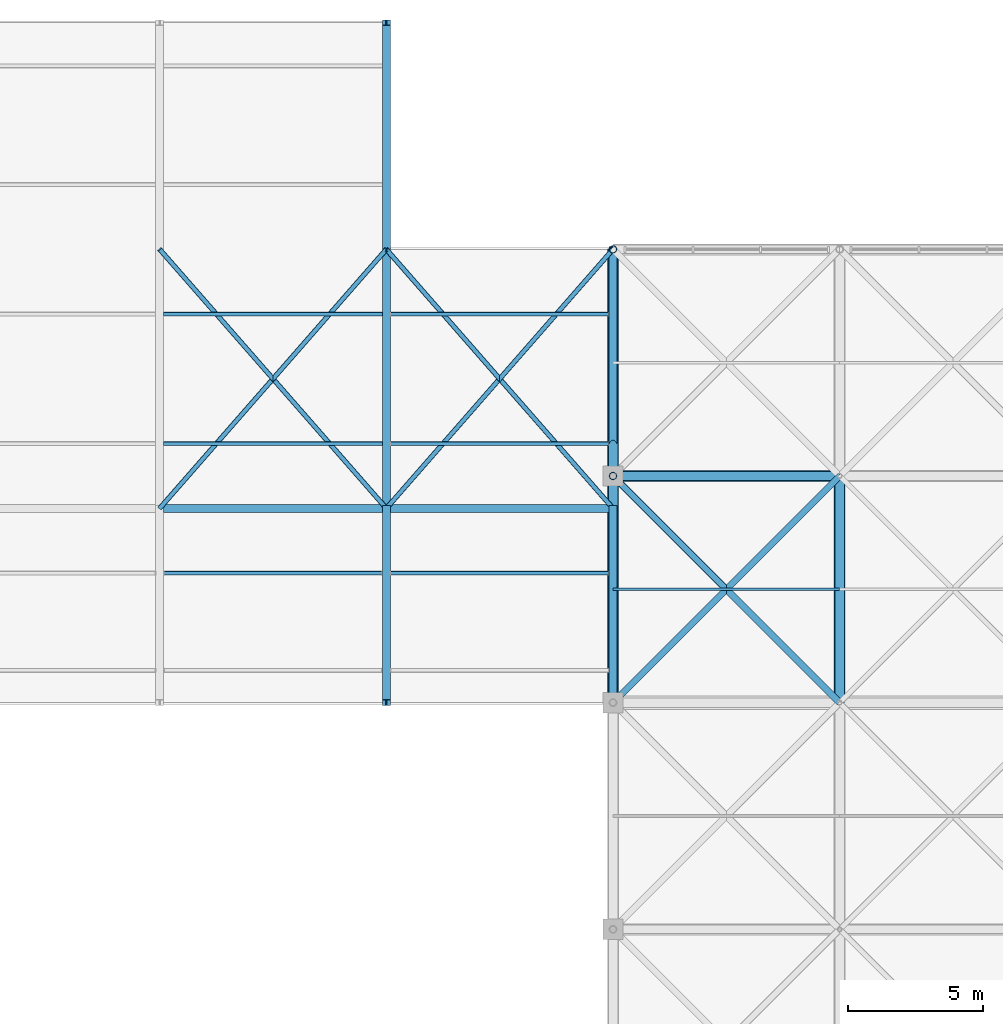
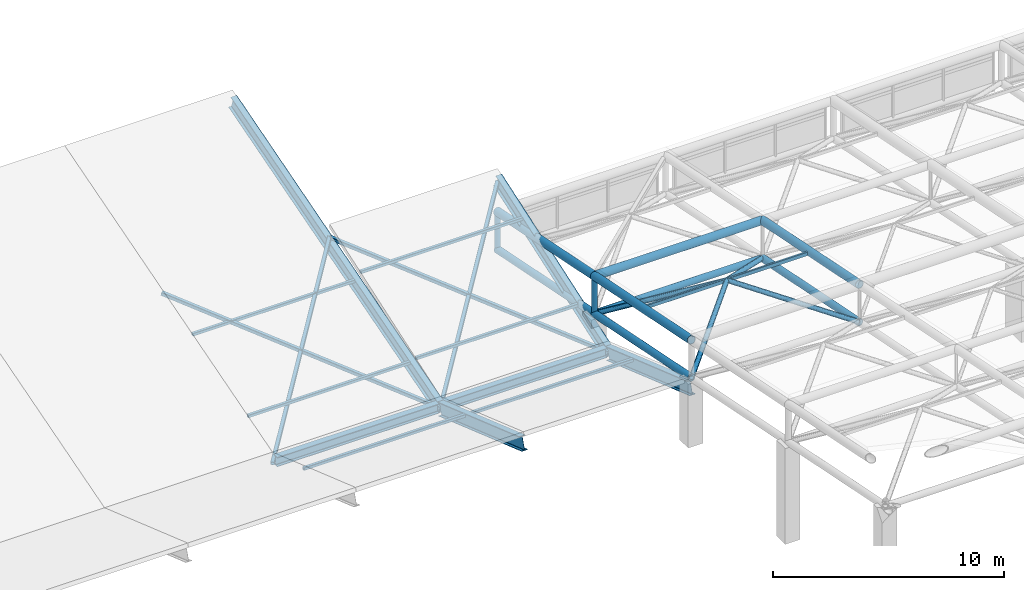
# One storey, part 50 of 110: 25 members, 6 beams.
"""IFC4 building model written with IfcOpenShell, lengths in metres."""

from ifc_helpers import new_model, si_unit, direction, frame, origin, origin_2d, place, context, subcontext, project, spatial, hollow_rectangle, hollow_circle, i_section, extrude, material, material_profile, profile_set, type_object, element, save


model = new_model("IFC4")

# Units and contexts
model_context = context("Model", 3, precision=1e-05, world=origin(), true_north=direction((0.0, 1.0)))
body_context = subcontext(model_context, "Body", "Model", "MODEL_VIEW")
ifc_project = project(units=[si_unit("LENGTHUNIT", "METRE"), si_unit("AREAUNIT", "SQUARE_METRE"), si_unit("VOLUMEUNIT", "CUBIC_METRE"), si_unit("PLANEANGLEUNIT", "RADIAN"), si_unit("MASSUNIT", "GRAM", prefix="KILO")], contexts=[model_context])

# Site, building, storey
site_placement = place(None, origin())
site = spatial("IfcSite", under=ifc_project, at=site_placement, CompositionType="ELEMENT")
building_placement = place(site_placement, origin())
building = spatial("IfcBuilding", under=site, at=building_placement, Name="Qawsi Khor Wholesale Market", CompositionType="ELEMENT")
storey_placement = place(building_placement, frame((0.0, 0.0, 11.39990234375)))
storey = spatial("IfcBuildingStorey", under=building, at=storey_placement, Name="L02", CompositionType="ELEMENT", Elevation=11.39990234375)

# Members
ifc_material = material(Name="Steel S355", Category="steel")
ifc_material_profile_1 = material_profile(ifc_material, hollow_rectangle(XDim=0.179931640625, YDim=0.179931640625, WallThickness=0.010009765625, InnerFilletRadius=0.010009765625, OuterFilletRadius=0.02001953125, at=origin_2d()), Name="SHS 180x180x10.0")
ifc_profile_set_1 = profile_set([ifc_material_profile_1], Name="Steel S355")
member_type_1 = type_object("IfcMemberType", Name="Auction Roof Brace SHS 180x180x10.0", PredefinedType="BRACE", material=ifc_profile_set_1)
for number, where, z_axis, x_axis, name in (
    (1, (126.0, 99.60009765625, 0.35009765625), (0.638715391749, 0.729957795703, 0.243319265234), (-0.752575509087, 0.658505962861, 0.0), "Auction roof brace 3A"),
    (2, (134.39990234375, 99.60009765625, 0.35009765625), (-0.638715391749, 0.729957795703, 0.243319265234), (-0.752575509087, -0.658505962861, 0.0), "Auction roof brace 3B"),
):
    element("IfcMember", number, at=place(storey_placement, frame(where, z_axis=z_axis, x_axis=x_axis)), inside=storey, type_object=member_type_1, Name=name, PredefinedType="BRACE", context=body_context, shape_type="SweptSolid", body=[
        extrude(hollow_rectangle(XDim=0.179931640625, YDim=0.179931640625, WallThickness=0.010009765625, InnerFilletRadius=0.010009765625, OuterFilletRadius=0.02001953125, at=origin_2d()), origin(), (0.0, 0.0, 1.0), 13.151123046875),
    ])
for number, where, z_axis, x_axis, name in (
    (3, (134.39990234375, 99.60009765625, 0.35009765625), (0.638726382275, 0.729949140507, 0.243316380169), (-0.752566024172, 0.658516802566, 0.0), "Auction roof brace 4A"),
    (4, (142.800048828125, 99.60009765625, 0.35009765625), (-0.638726382275, 0.729949140507, 0.243316380169), (-0.752566024172, -0.658516802566, 0.0), "Auction roof brace 4B"),
):
    element("IfcMember", number, at=place(storey_placement, frame(where, z_axis=z_axis, x_axis=x_axis)), inside=storey, type_object=member_type_1, Name=name, PredefinedType="BRACE", context=body_context, shape_type="SweptSolid", body=[
        extrude(hollow_rectangle(XDim=0.179931640625, YDim=0.179931640625, WallThickness=0.010009765625, InnerFilletRadius=0.010009765625, OuterFilletRadius=0.02001953125, at=origin_2d()), origin(), (0.0, 0.0, 1.0), 13.1513671875),
    ])
ifc_material_profile_2 = material_profile(ifc_material, hollow_rectangle(XDim=0.14990234375, YDim=0.14990234375, WallThickness=0.008056640625, InnerFilletRadius=0.008056640625, OuterFilletRadius=0.01611328125, at=origin_2d()), Name="SHS 150x150x8.0")
ifc_profile_set_2 = profile_set([ifc_material_profile_2], Name="Steel S355")
member_type_2 = type_object("IfcMemberType", Name="Auction Shed Purlin SHS 150x150x8.0", PredefinedType="PURLIN", material=ifc_profile_set_2)
member_1_placement = place(storey_placement, frame((126.162109375, 97.199951171875, 1.4833984375), z_axis=(1.0, 0.0, 0.0), x_axis=(0.0, 1.0, 0.0)))
element("IfcMember", 5, at=member_1_placement, inside=storey, type_object=member_type_2, Name="Auction Roof Purlin 16-2", PredefinedType="PURLIN", context=body_context, shape_type="SweptSolid", body=[
    extrude(hollow_rectangle(XDim=0.14990234375, YDim=0.14990234375, WallThickness=0.008056640625, InnerFilletRadius=0.008056640625, OuterFilletRadius=0.01611328125, at=origin_2d()), origin(), (0.0, 0.0, 1.0), 8.075927734375),
])
for number, where, z_axis, x_axis, name in (
    (6, (126.14990234375, 102.0, 1.356689453125), (1.0, 0.0, 0.0), (0.0, 1.0, 0.0), "Auction Roof Purlin 16-3"),
    (7, (126.14990234375, 106.800048828125, 2.77001953125), (1.0, 0.0, 0.0), (0.0, 1.0, 0.0), "Auction Roof Purlin 16-4"),
):
    element("IfcMember", number, at=place(storey_placement, frame(where, z_axis=z_axis, x_axis=x_axis)), inside=storey, type_object=member_type_2, Name=name, PredefinedType="PURLIN", context=body_context, shape_type="SweptSolid", body=[
        extrude(hollow_rectangle(XDim=0.14990234375, YDim=0.14990234375, WallThickness=0.008056640625, InnerFilletRadius=0.008056640625, OuterFilletRadius=0.01611328125, at=origin_2d()), origin(), (0.0, 0.0, 1.0), 8.10009765625),
    ])
for number, where, z_axis, x_axis, name in (
    (8, (134.56201171875, 97.199951171875, 1.4833984375), (1.0, 0.0, 0.0), (0.0, 1.0, 0.0), "Auction Roof Purlin 17-2"),
    (9, (134.56201171875, 102.0, 1.47509765625), (1.0, 0.0, 0.0), (0.0, 1.0, 0.0), "Auction Roof Purlin 17-3"),
    (10, (134.56201171875, 106.800048828125, 3.125), (1.0, 0.0, 0.0), (0.0, 1.0, 0.0), "Auction Roof Purlin 17-4"),
):
    element("IfcMember", number, at=place(storey_placement, frame(where, z_axis=z_axis, x_axis=x_axis)), inside=storey, type_object=member_type_2, Name=name, PredefinedType="PURLIN", context=body_context, shape_type="SweptSolid", body=[
        extrude(hollow_rectangle(XDim=0.14990234375, YDim=0.14990234375, WallThickness=0.008056640625, InnerFilletRadius=0.008056640625, OuterFilletRadius=0.01611328125, at=origin_2d()), origin(), (0.0, 0.0, 1.0), 8.075927734375),
    ])

# Beams
ifc_material_profile_3 = material_profile(ifc_material, i_section(OverallWidth=0.300048828125, OverallDepth=0.5, WebThickness=0.014404296875, FlangeThickness=0.028076171875, FilletRadius=0.027099609375, at=origin_2d()), Name="HEB 500")
ifc_profile_set_3 = profile_set([ifc_material_profile_3], Name="Steel S355")
beam_type_1 = type_object("IfcBeamType", Name="Heavy Edge Girder HEB 500", PredefinedType="BEAM", material=ifc_profile_set_3)
beam_1_placement = place(storey_placement, frame((126.14990234375, 99.60009765625, 0.4501953125), z_axis=(1.0, 0.0, 0.0), x_axis=(0.0, 1.0, 0.0)))
element("IfcBeam", 11, at=beam_1_placement, inside=storey, type_object=beam_type_1, Name="Auction Butterfly Valley Girder 16", PredefinedType="BEAM", context=body_context, shape_type="SweptSolid", body=[
    extrude(i_section(OverallWidth=0.300048828125, OverallDepth=0.5, WebThickness=0.014404296875, FlangeThickness=0.028076171875, FilletRadius=0.027099609375, at=origin_2d()), origin(), (0.0, 0.0, 1.0), 8.10009765625),
])
beam_2_placement = place(storey_placement, frame((134.550048828125, 99.60009765625, 0.4501953125), z_axis=(1.0, 0.0, 0.0), x_axis=(0.0, 1.0, 0.0)))
element("IfcBeam", 12, at=beam_2_placement, inside=storey, type_object=beam_type_1, Name="Auction Butterfly Valley Girder 17", PredefinedType="BEAM", context=body_context, shape_type="SweptSolid", body=[
    extrude(i_section(OverallWidth=0.300048828125, OverallDepth=0.5, WebThickness=0.014404296875, FlangeThickness=0.028076171875, FilletRadius=0.027099609375, at=origin_2d()), origin(), (0.0, 0.0, 1.0), 8.099853515625),
])
ifc_material_profile_4 = material_profile(ifc_material, i_section(OverallWidth=0.300048828125, OverallDepth=0.68994140625, WebThickness=0.014404296875, FlangeThickness=0.027099609375, FilletRadius=0.027099609375, at=origin_2d()), Name="HEA 700")
ifc_profile_set_4 = profile_set([ifc_material_profile_4], Name="Steel S355")
beam_type_2 = type_object("IfcBeamType", Name="Primary Girder HEA 700", PredefinedType="BEAM", material=ifc_profile_set_4)
beam_3_placement = place(storey_placement, frame((134.39990234375, 92.39990234375, 2.85009765625), z_axis=(0.0, 0.944676421269, -0.328003748603), x_axis=(-1.0, 0.0, 0.0)))
element("IfcBeam", 13, at=beam_3_placement, inside=storey, type_object=beam_type_2, Name="Auction Butterfly Rafter South Grid 17", PredefinedType="BEAM", context=body_context, shape_type="SweptSolid", body=[
    extrude(i_section(OverallWidth=0.300048828125, OverallDepth=0.68994140625, WebThickness=0.014404296875, FlangeThickness=0.027099609375, FilletRadius=0.027099609375, at=origin_2d()), origin(), (0.0, 0.0, 1.0), 7.621826171875),
])
beam_4_placement = place(storey_placement, frame((134.39990234375, 99.60009765625, 0.35009765625), z_axis=(0.0, 0.959279891053, 0.282457236801), x_axis=(-1.0, 0.0, 0.0)))
element("IfcBeam", 14, at=beam_4_placement, inside=storey, type_object=beam_type_2, Name="Auction Butterfly Rafter North Grid 17", PredefinedType="BEAM", context=body_context, shape_type="SweptSolid", body=[
    extrude(i_section(OverallWidth=0.300048828125, OverallDepth=0.68994140625, WebThickness=0.014404296875, FlangeThickness=0.027099609375, FilletRadius=0.027099609375, at=origin_2d()), origin(), (0.0, 0.0, 1.0), 18.76416015625),
])
beam_5_placement = place(storey_placement, frame((142.800048828125, 92.39990234375, 2.85009765625), z_axis=(0.0, 0.944676421269, -0.328003748603), x_axis=(-1.0, 0.0, 0.0)))
element("IfcBeam", 15, at=beam_5_placement, inside=storey, type_object=beam_type_2, Name="Auction Butterfly Rafter South Grid 18", PredefinedType="BEAM", context=body_context, shape_type="SweptSolid", body=[
    extrude(i_section(OverallWidth=0.300048828125, OverallDepth=0.68994140625, WebThickness=0.014404296875, FlangeThickness=0.027099609375, FilletRadius=0.027099609375, at=origin_2d()), origin(), (0.0, 0.0, 1.0), 7.621826171875),
])
beam_6_placement = place(storey_placement, frame((142.800048828125, 99.60009765625, 0.35009765625), z_axis=(0.0, 0.945683595597, 0.325088506439), x_axis=(-1.0, 0.0, 0.0)))
element("IfcBeam", 16, at=beam_6_placement, inside=storey, type_object=beam_type_2, Name="Auction Butterfly Rafter North Grid 18", PredefinedType="BEAM", context=body_context, shape_type="SweptSolid", body=[
    extrude(i_section(OverallWidth=0.300048828125, OverallDepth=0.68994140625, WebThickness=0.014404296875, FlangeThickness=0.027099609375, FilletRadius=0.027099609375, at=origin_2d()), origin(), (0.0, 0.0, 1.0), 10.151123046875),
])

# Members
ifc_material_profile_5 = material_profile(ifc_material, hollow_circle(Radius=0.177734375, WallThickness=0.01611328125, at=origin_2d()), Name="CHS 355.6x16.0")
ifc_profile_set_5 = profile_set([ifc_material_profile_5], Name="Steel S355")
member_type_3 = type_object("IfcMemberType", Name="Space-Frame Bottom Chord CHS 355.6x16.0", PredefinedType="CHORD", material=ifc_profile_set_5)
for number, where, z_axis, x_axis, name in (
    (17, (142.800048828125, 92.39990234375, 3.3701171875), (0.0, 0.98013111127, -0.198350711418), (-1.0, 0.0, 0.0), "Space frame bottom chord Y EH (17,11)"),
    (18, (142.800048828125, 100.800048828125, 1.670166015625), (0.0, 0.980129990483, -0.1983562496), (-1.0, 0.0, 0.0), "Space frame bottom chord Y EH (17,12)"),
    (19, (151.199951171875, 92.39990234375, 3.3701171875), (0.0, 0.98013111127, -0.198350711418), (-1.0, 0.0, 0.0), "Space frame bottom chord Y EH (18,11)"),
):
    element("IfcMember", number, at=place(storey_placement, frame(where, z_axis=z_axis, x_axis=x_axis)), inside=storey, type_object=member_type_3, Name=name, PredefinedType="CHORD", context=body_context, shape_type="SweptSolid", body=[
        extrude(hollow_circle(Radius=0.177734375, WallThickness=0.01611328125, at=origin_2d()), origin(), (0.0, 0.0, 1.0), 8.5703125),
    ])
ifc_material_profile_6 = material_profile(ifc_material, hollow_circle(Radius=0.136474609375, WallThickness=0.012451171875, at=origin_2d()), Name="CHS 273.0x12.5")
ifc_profile_set_6 = profile_set([ifc_material_profile_6], Name="Steel S355")
member_type_4 = type_object("IfcMemberType", Name="Space-Frame Edge Post CHS 273.0x12.5", PredefinedType="POST", material=ifc_profile_set_6)
for number, where, z_axis, x_axis, name in (
    (20, (142.800048828125, 100.800048828125, 1.670166015625), (0.0, 0.0, 1.0), (1.0, 0.0, 0.0), "Space frame post EH (17,12)"),
    (21, (142.800048828125, 109.199951171875, -0.02978515625), (0.0, 0.0, 1.0), (1.0, 0.0, 0.0), "Space frame post EH (17,13)"),
):
    element("IfcMember", number, at=place(storey_placement, frame(where, z_axis=z_axis, x_axis=x_axis)), inside=storey, type_object=member_type_4, Name=name, PredefinedType="POST", context=body_context, shape_type="SweptSolid", body=[
        extrude(hollow_circle(Radius=0.136474609375, WallThickness=0.012451171875, at=origin_2d()), origin(), (0.0, 0.0, 1.0), 2.0),
    ])
ifc_material_profile_7 = material_profile(ifc_material, hollow_circle(Radius=0.122314453125, WallThickness=0.012451171875, at=origin_2d()), Name="CHS 244.5x12.5")
ifc_profile_set_7 = profile_set([ifc_material_profile_7], Name="Steel S355")
member_type_5 = type_object("IfcMemberType", Name="Space-Frame Heavy Diagonal CHS 244.5x12.5", PredefinedType="POST", material=ifc_profile_set_7)
for number, where, z_axis, x_axis, name in (
    (22, (142.800048828125, 92.39990234375, 3.3701171875), (0.694197266374, 0.694237619642, 0.19006389145), (-0.707127332136, 0.70708622964, 0.0), "Space frame diagonal EH (17,11)-1"),
    (23, (151.199951171875, 92.39990234375, 3.3701171875), (-0.694197266374, 0.694237619642, 0.19006389145), (-0.707127332136, -0.70708622964, 0.0), "Space frame diagonal EH (17,11)-2"),
):
    element("IfcMember", number, at=place(storey_placement, frame(where, z_axis=z_axis, x_axis=x_axis)), inside=storey, type_object=member_type_5, Name=name, PredefinedType="POST", context=body_context, shape_type="SweptSolid", body=[
        extrude(hollow_circle(Radius=0.122314453125, WallThickness=0.012451171875, at=origin_2d()), origin(), (0.0, 0.0, 1.0), 6.050048828125),
    ])
for number, where, z_axis, x_axis, name in (
    (24, (151.199951171875, 100.800048828125, 1.670166015625), (-0.637521961484, -0.637521961484, 0.432586982294), (0.707106781187, -0.707106781187, 0.0), "Space frame diagonal EH (17,11)-3"),
    (25, (142.800048828125, 100.800048828125, 1.670166015625), (0.637521961484, -0.637521961484, 0.432586982294), (0.707106781187, 0.707106781187, 0.0), "Space frame diagonal EH (17,11)-4"),
):
    element("IfcMember", number, at=place(storey_placement, frame(where, z_axis=z_axis, x_axis=x_axis)), inside=storey, type_object=member_type_5, Name=name, PredefinedType="POST", context=body_context, shape_type="SweptSolid", body=[
        extrude(hollow_circle(Radius=0.122314453125, WallThickness=0.012451171875, at=origin_2d()), origin(), (0.0, 0.0, 1.0), 6.587890625),
    ])
ifc_material_profile_8 = material_profile(ifc_material, hollow_rectangle(XDim=0.10009765625, YDim=0.199951171875, WallThickness=0.008056640625, InnerFilletRadius=0.008056640625, OuterFilletRadius=0.01611328125, at=origin_2d()), Name="RHS 200x100x8.0")
ifc_profile_set_8 = profile_set([ifc_material_profile_8], Name="Steel S355")
member_type_6 = type_object("IfcMemberType", Name="Space-Frame Purlin RHS 200x100x8.0", PredefinedType="PURLIN", material=ifc_profile_set_8)
member_2_placement = place(storey_placement, frame((142.800048828125, 96.60009765625, 4.52001953125), z_axis=(1.0, 0.0, 0.0), x_axis=(0.0, 1.0, 0.0)))
element("IfcMember", 26, at=member_2_placement, inside=storey, type_object=member_type_6, Name="Space frame purlin EH (17,11)", PredefinedType="PURLIN", context=body_context, shape_type="SweptSolid", body=[
    extrude(hollow_rectangle(XDim=0.10009765625, YDim=0.199951171875, WallThickness=0.008056640625, InnerFilletRadius=0.008056640625, OuterFilletRadius=0.01611328125, at=origin_2d()), origin(), (0.0, 0.0, 1.0), 8.39990234375),
])
ifc_material_profile_9 = material_profile(ifc_material, hollow_circle(Radius=0.161865234375, WallThickness=0.01611328125, at=origin_2d()), Name="CHS 323.9x16.0")
ifc_profile_set_9 = profile_set([ifc_material_profile_9], Name="Steel S355")
member_type_7 = type_object("IfcMemberType", Name="Space-Frame Secondary Chord CHS 323.9x16.0", PredefinedType="CHORD", material=ifc_profile_set_9)
member_3_placement = place(storey_placement, frame((142.800048828125, 100.800048828125, 1.670166015625), z_axis=(1.0, 0.0, 0.0), x_axis=(0.0, 1.0, 0.0)))
element("IfcMember", 27, at=member_3_placement, inside=storey, type_object=member_type_7, Name="Space frame bottom chord X EH (17,12)", PredefinedType="CHORD", context=body_context, shape_type="SweptSolid", body=[
    extrude(hollow_circle(Radius=0.161865234375, WallThickness=0.01611328125, at=origin_2d()), origin(), (0.0, 0.0, 1.0), 8.39990234375),
])
ifc_material_profile_10 = material_profile(ifc_material, hollow_circle(Radius=0.203125, WallThickness=0.02001953125, at=origin_2d()), Name="CHS 406.4x20.0")
ifc_profile_set_10 = profile_set([ifc_material_profile_10], Name="Steel S355")
member_type_8 = type_object("IfcMemberType", Name="Space-Frame Top Chord CHS 406.4x20.0", PredefinedType="CHORD", material=ifc_profile_set_10)
member_4_placement = place(storey_placement, frame((142.800048828125, 92.39990234375, 5.3701171875), z_axis=(0.0, 0.98013111127, -0.198350711418), x_axis=(-1.0, 0.0, 0.0)))
element("IfcMember", 28, at=member_4_placement, inside=storey, type_object=member_type_8, Name="Space frame top chord Y EH (17,11)", PredefinedType="CHORD", context=body_context, shape_type="SweptSolid", body=[
    extrude(hollow_circle(Radius=0.203125, WallThickness=0.02001953125, at=origin_2d()), origin(), (0.0, 0.0, 1.0), 8.5703125),
])
member_5_placement = place(storey_placement, frame((142.800048828125, 100.800048828125, 3.670166015625), z_axis=(1.0, 0.0, 0.0), x_axis=(0.0, 1.0, 0.0)))
element("IfcMember", 29, at=member_5_placement, inside=storey, type_object=member_type_8, Name="Space frame top chord X EH (17,12)", PredefinedType="CHORD", context=body_context, shape_type="SweptSolid", body=[
    extrude(hollow_circle(Radius=0.203125, WallThickness=0.02001953125, at=origin_2d()), origin(), (0.0, 0.0, 1.0), 8.39990234375),
])
for number, where, z_axis, x_axis, name in (
    (30, (142.800048828125, 100.800048828125, 3.670166015625), (0.0, 0.980129990483, -0.1983562496), (-1.0, 0.0, 0.0), "Space frame top chord Y EH (17,12)"),
    (31, (151.199951171875, 92.39990234375, 5.3701171875), (0.0, 0.98013111127, -0.198350711418), (-1.0, 0.0, 0.0), "Space frame top chord Y EH (18,11)"),
):
    element("IfcMember", number, at=place(storey_placement, frame(where, z_axis=z_axis, x_axis=x_axis)), inside=storey, type_object=member_type_8, Name=name, PredefinedType="CHORD", context=body_context, shape_type="SweptSolid", body=[
        extrude(hollow_circle(Radius=0.203125, WallThickness=0.02001953125, at=origin_2d()), origin(), (0.0, 0.0, 1.0), 8.5703125),
    ])

save(model, "model.ifc")
